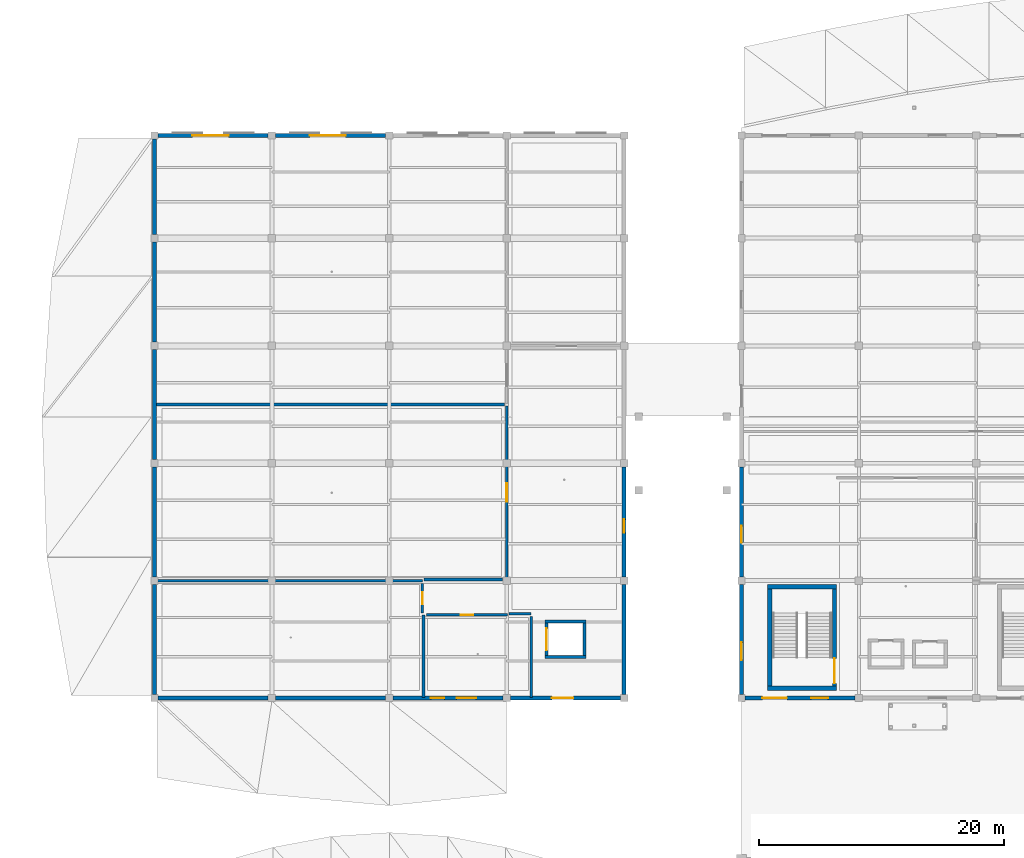
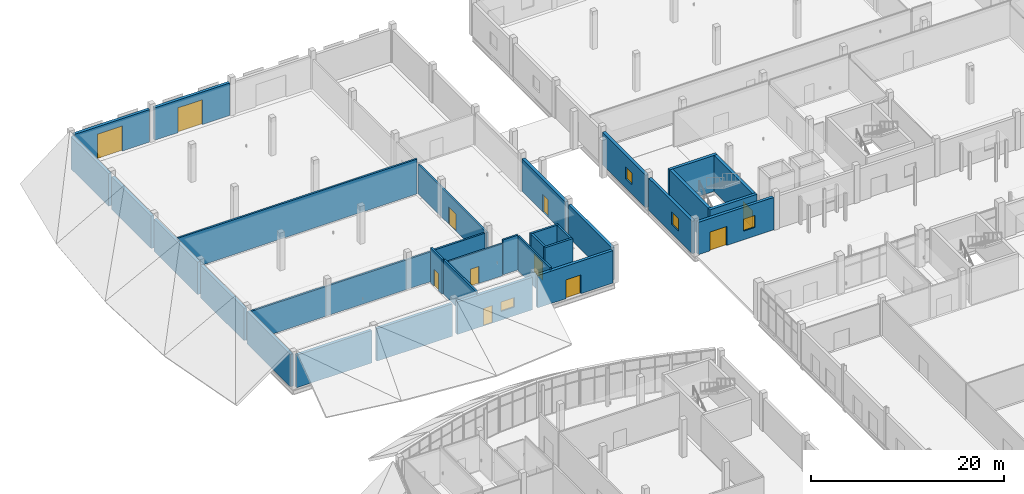
# One storey, part 81 of 116: 33 walls, 11 doors, 4 windows, 15 openings.
"""IFC4 building model written with IfcOpenShell, lengths in metres."""

from ifc_helpers import new_model, si_unit, direction, frame, frame_2d, origin, place, context, subcontext, project, spatial, rectangle, extrude, material, layer, layer_set, type_object, element, fill, save


model = new_model("IFC4")

# Units and contexts
model_context = context("Model", 3, precision=1e-05, world=origin(), true_north=direction((0.0, 1.0)))
body_context = subcontext(model_context, "Body", "Model", "MODEL_VIEW")
ifc_project = project(units=[si_unit("LENGTHUNIT", "METRE"), si_unit("AREAUNIT", "SQUARE_METRE"), si_unit("VOLUMEUNIT", "CUBIC_METRE"), si_unit("PLANEANGLEUNIT", "RADIAN"), si_unit("MASSUNIT", "GRAM", prefix="KILO")], contexts=[model_context])

# Site, building, storey
site_placement = place(None, origin())
site = spatial("IfcSite", under=ifc_project, at=site_placement, CompositionType="ELEMENT")
building_placement = place(site_placement, origin())
building = spatial("IfcBuilding", under=site, at=building_placement, Name="Chalmorin Arch Market", CompositionType="ELEMENT")
storey_placement = place(building_placement, origin())
storey = spatial("IfcBuildingStorey", under=building, at=storey_placement, Name="L00", CompositionType="ELEMENT", Elevation=0.0)

# Walls
ifc_material_1 = material(Name="Galvanised Steel", Category="steel")
ifc_layer_1 = layer(ifc_material_1, 0.219970703125)
ifc_layer_set_1 = layer_set([ifc_layer_1], Name="Galvanised Steel")
wall_type_1 = type_object("IfcWallType", Name="ColdStoreInsulatedWall-220", PredefinedType="PARTITIONING", material=ifc_layer_set_1)
wall_1_placement = place(storey_placement, frame((0.050048828125, 96.0, 0.0), z_axis=(0.0, 0.0, 1.0), x_axis=(1.0, 0.0, 0.0)))
element("IfcWall", 1, at=wall_1_placement, inside=storey, type_object=wall_type_1, Name="CIW-220-432", PredefinedType="PARTITIONING", context=body_context, shape_type="SweptSolid", body=[
    extrude(rectangle(XDim=28.550048828125, YDim=0.219970703125, at=frame_2d((14.27490234375, 0.0))), origin(), (0.0, 0.0, 1.0), 4.39990234375),
])
wall_2_placement = place(storey_placement, frame((0.050048828125, 81.60009765625, 0.0), z_axis=(0.0, 0.0, 1.0), x_axis=(1.0, 0.0, 0.0)))
element("IfcWall", 2, at=wall_2_placement, inside=storey, type_object=wall_type_1, Name="CIW-220-435", PredefinedType="PARTITIONING", context=body_context, shape_type="SweptSolid", body=[
    extrude(rectangle(XDim=21.849853515625, YDim=0.219970703125, at=frame_2d((10.9248046875, 0.0))), origin(), (0.0, 0.0, 1.0), 3.75),
])

# Wall, opening, door
wall_3_placement = place(storey_placement, frame((28.800048828125, 81.699951171875, 0.0), z_axis=(0.0, 0.0, 1.0), x_axis=(0.0, 1.0, 0.0)))
wall_3 = element("IfcWall", 3, at=wall_3_placement, inside=storey, type_object=wall_type_1, Name="CIW-220-436", PredefinedType="PARTITIONING", context=body_context, shape_type="SweptSolid", body=[
    extrude(rectangle(XDim=14.199951171875, YDim=0.219970703125, at=frame_2d((7.10009765625, 0.0))), origin(), (0.0, 0.0, 1.0), 3.68994140625),
])
opening_1_placement = place(wall_3_placement, frame((6.35009765625, 0.0, 0.0)))
opening_1 = element("IfcOpeningElement", 4, at=opening_1_placement, cuts=wall_3, Name="Opening ID-125", PredefinedType="OPENING", context=body_context, shape_type="SweptSolid", body=[
    extrude(rectangle(XDim=1.5, YDim=2.199951171875, at=frame_2d((0.75, 1.10009765625))), frame((0.0, 0.119873046875, 0.0), z_axis=(0.0, -1.0, 0.0), x_axis=(1.0, 0.0, 0.0)), (0.0, 0.0, 1.0), 0.239990234375),
])
ifc_material_2 = material(Name="Stainless Steel 316", Category="steel")
door_type_1 = type_object("IfcDoorType", Name="ColdStoreSlidingDoor-1500x2200", OperationType="SLIDING_TO_RIGHT", PredefinedType="DOOR", material=ifc_material_2)
door_1_placement = place(opening_1_placement, origin())
door_1 = element("IfcDoor", 5, at=door_1_placement, inside=storey, type_object=door_type_1, Name="ID-125", OperationType="SLIDING_TO_RIGHT", OverallHeight=2.199951171875, OverallWidth=1.5, PredefinedType="DOOR", context=body_context, shape_type="SweptSolid", body=[
    extrude(rectangle(XDim=1.5, YDim=2.199951171875, at=frame_2d((0.75, 1.10009765625))), frame((0.0, 0.02490234375, 0.0), z_axis=(0.0, -1.0, 0.0), x_axis=(1.0, 0.0, 0.0)), (0.0, 0.0, 1.0), 0.050048828125),
])
fill(opening_1, door_1)

# Walls
wall_4_placement = place(storey_placement, frame((22.0, 72.050048828125, 0.0), z_axis=(0.0, 0.0, 1.0), x_axis=(0.0, 1.0, 0.0)))
element("IfcWall", 6, at=wall_4_placement, inside=storey, type_object=wall_type_1, Name="CIW-220-437", PredefinedType="PARTITIONING", context=body_context, shape_type="SweptSolid", body=[
    extrude(rectangle(XDim=6.75, YDim=0.219970703125, at=frame_2d((3.375, 0.0))), origin(), (0.0, 0.0, 1.0), 4.39990234375),
])
wall_5_placement = place(storey_placement, frame((22.0400390625, 81.699951171875, 0.0), z_axis=(0.0, 0.0, 1.0), x_axis=(1.0, 0.0, 0.0)))
element("IfcWall", 7, at=wall_5_placement, inside=storey, type_object=wall_type_1, Name="CIW-220-466", PredefinedType="PARTITIONING", context=body_context, shape_type="SweptSolid", body=[
    extrude(rectangle(XDim=6.419921875, YDim=0.219970703125, at=frame_2d((3.2099609375, 0.0))), origin(), (0.0, 0.0, 1.0), 3.75),
])

# Wall, opening, door
wall_6_placement = place(storey_placement, frame((21.89990234375, 78.93994140625, 0.0), z_axis=(0.0, 0.0, 1.0), x_axis=(0.0, 1.0, 0.0)))
wall_6 = element("IfcWall", 8, at=wall_6_placement, inside=storey, type_object=wall_type_1, Name="CIW-220-467", PredefinedType="PARTITIONING", context=body_context, shape_type="SweptSolid", body=[
    extrude(rectangle(XDim=2.420166015625, YDim=0.219970703125, at=frame_2d((1.2099609375, 0.0))), origin(), (0.0, 0.0, 1.0), 4.39990234375),
])
opening_2_placement = place(wall_6_placement, frame((0.7099609375, 0.0, 0.0)))
opening_2 = element("IfcOpeningElement", 9, at=opening_2_placement, cuts=wall_6, Name="Opening ID-143", PredefinedType="OPENING", context=body_context, shape_type="SweptSolid", body=[
    extrude(rectangle(XDim=1.0, YDim=2.14990234375, at=frame_2d((0.5, 1.074951171875))), frame((0.0, 0.119873046875, 0.0), z_axis=(0.0, -1.0, 0.0), x_axis=(1.0, 0.0, 0.0)), (0.0, 0.0, 1.0), 0.239990234375),
])
ifc_material_3 = material(Name="Oak Engineered Timber", Category="wood")
door_type_2 = type_object("IfcDoorType", Name="ClassroomAcousticDoor-1000x2150", OperationType="NOTDEFINED", PredefinedType="DOOR", material=ifc_material_3)
door_2_placement = place(opening_2_placement, origin())
door_2 = element("IfcDoor", 10, at=door_2_placement, inside=storey, type_object=door_type_2, Name="ID-143", OperationType="SINGLE_SWING_LEFT", OverallHeight=2.14990234375, OverallWidth=1.0, PredefinedType="DOOR", context=body_context, shape_type="SweptSolid", body=[
    extrude(rectangle(XDim=1.0, YDim=2.14990234375, at=frame_2d((0.5, 1.074951171875))), frame((0.0, 0.02490234375, 0.0), z_axis=(0.0, -1.0, 0.0), x_axis=(1.0, 0.0, 0.0)), (0.0, 0.0, 1.0), 0.050048828125),
])
fill(opening_2, door_2)

# Walls
ifc_material_4 = material(Name="Concrete C40/50", Category="concrete")
ifc_layer_2 = layer(ifc_material_4, 0.35009765625)
ifc_layer_set_2 = layer_set([ifc_layer_2], Name="Concrete C40/50")
wall_type_2 = type_object("IfcWallType", Name="CoreShearWall-350", PredefinedType="SHEAR", material=ifc_layer_set_2)
for number, where, z_axis, x_axis, name in (
    (11, (55.77490234375, 72.800048828125, 0.0), (0.0, 0.0, 1.0), (-1.0, 0.0, 0.0), "CSW-350-069"),
    (12, (50.125, 81.10009765625, 0.0), (0.0, 0.0, 1.0), (1.0, 0.0, 0.0), "CSW-350-070"),
):
    element("IfcWall", number, at=place(storey_placement, frame(where, z_axis=z_axis, x_axis=x_axis)), inside=storey, type_object=wall_type_2, Name=name, PredefinedType="SHEAR", context=body_context, shape_type="SweptSolid", body=[
        extrude(rectangle(XDim=5.64990234375, YDim=0.35009765625, at=frame_2d((2.824951171875, 0.0))), origin(), (0.0, 0.0, 1.0), 4.550048828125),
    ])
wall_7_placement = place(storey_placement, frame((50.300048828125, 72.97509765625, 0.0), z_axis=(0.0, 0.0, 1.0), x_axis=(0.0, 1.0, 0.0)))
element("IfcWall", 13, at=wall_7_placement, inside=storey, type_object=wall_type_2, Name="CSW-350-071", PredefinedType="SHEAR", context=body_context, shape_type="SweptSolid", body=[
    extrude(rectangle(XDim=7.949951171875, YDim=0.35009765625, at=frame_2d((3.97509765625, 0.0))), origin(), (0.0, 0.0, 1.0), 4.550048828125),
])

# Wall, opening, door
wall_8_placement = place(storey_placement, frame((55.60009765625, 80.925048828125, 0.0), z_axis=(0.0, 0.0, 1.0), x_axis=(0.0, -1.0, 0.0)))
wall_8 = element("IfcWall", 14, at=wall_8_placement, inside=storey, type_object=wall_type_2, Name="CSW-350-072", PredefinedType="SHEAR", context=body_context, shape_type="SweptSolid", body=[
    extrude(rectangle(XDim=7.949951171875, YDim=0.35009765625, at=frame_2d((3.97509765625, 0.0))), origin(), (0.0, 0.0, 1.0), 4.550048828125),
])
opening_3_placement = place(wall_8_placement, frame((5.679931640625, 0.0, 0.0)))
opening_3 = element("IfcOpeningElement", 15, at=opening_3_placement, cuts=wall_8, Name="Opening FD-SC5-L00", PredefinedType="OPENING", context=body_context, shape_type="SweptSolid", body=[
    extrude(rectangle(XDim=2.050048828125, YDim=2.14990234375, at=frame_2d((1.02490234375, 1.074951171875))), frame((0.0, 0.18505859375, 0.0), z_axis=(0.0, -1.0, 0.0), x_axis=(1.0, 0.0, 0.0)), (0.0, 0.0, 1.0), 0.3701171875),
])
door_type_3 = type_object("IfcDoorType", Name="DoubleFireExitDoor-2050x2150", OperationType="DOUBLE_DOOR_SINGLE_SWING", PredefinedType="DOOR", material=ifc_material_1)
door_3_placement = place(opening_3_placement, origin())
door_3 = element("IfcDoor", 16, at=door_3_placement, inside=storey, type_object=door_type_3, Name="FD-SC5-L00", OperationType="DOUBLE_DOOR_SINGLE_SWING", OverallHeight=2.14990234375, OverallWidth=2.050048828125, PredefinedType="DOOR", context=body_context, shape_type="SweptSolid", body=[
    extrude(rectangle(XDim=2.050048828125, YDim=2.14990234375, at=frame_2d((1.02490234375, 1.074951171875))), frame((0.0, 0.02490234375, 0.0), z_axis=(0.0, -1.0, 0.0), x_axis=(1.0, 0.0, 0.0)), (0.0, 0.0, 1.0), 0.050048828125),
])
fill(opening_3, door_3)

# Wall
ifc_material_5 = material(Name="Concrete C30/37", Category="concrete")
ifc_layer_3 = layer(ifc_material_5, 0.199951171875)
ifc_layer_set_3 = layer_set([ifc_layer_3], Name="Concrete C30/37")
wall_type_3 = type_object("IfcWallType", Name="FireCompartmentWall-200", PredefinedType="PARTITIONING", material=ifc_layer_set_3)
wall_9_placement = place(storey_placement, frame((29.0, 78.89990234375, 0.0), z_axis=(0.0, 0.0, 1.0), x_axis=(1.0, 0.0, 0.0)))
element("IfcWall", 17, at=wall_9_placement, inside=storey, type_object=wall_type_3, Name="FCW-200-438", PredefinedType="PARTITIONING", context=body_context, shape_type="SweptSolid", body=[
    extrude(rectangle(XDim=1.800048828125, YDim=0.199951171875, at=frame_2d((0.89990234375, 0.0))), origin(), (0.0, 0.0, 1.0), 4.39990234375),
])

# Wall, opening, door
wall_10_placement = place(storey_placement, frame((22.239990234375, 78.800048828125, 0.0), z_axis=(0.0, 0.0, 1.0), x_axis=(1.0, 0.0, 0.0)))
wall_10 = element("IfcWall", 18, at=wall_10_placement, inside=storey, type_object=wall_type_3, Name="FCW-200-468", PredefinedType="PARTITIONING", context=body_context, shape_type="SweptSolid", body=[
    extrude(rectangle(XDim=6.6201171875, YDim=0.199951171875, at=frame_2d((3.31005859375, 0.0))), origin(), (0.0, 0.0, 1.0), 4.032958984375),
])
opening_4_placement = place(wall_10_placement, frame((2.81005859375, 0.0, 0.0)))
opening_4 = element("IfcOpeningElement", 19, at=opening_4_placement, cuts=wall_10, Name="Opening ID-144", PredefinedType="OPENING", context=body_context, shape_type="SweptSolid", body=[
    extrude(rectangle(XDim=1.0, YDim=2.14990234375, at=frame_2d((0.5, 1.074951171875))), frame((0.0, 0.10986328125, 0.0), z_axis=(0.0, -1.0, 0.0), x_axis=(1.0, 0.0, 0.0)), (0.0, 0.0, 1.0), 0.219970703125),
])
door_4_placement = place(opening_4_placement, origin())
door_4 = element("IfcDoor", 20, at=door_4_placement, inside=storey, type_object=door_type_2, Name="ID-144", OperationType="SINGLE_SWING_RIGHT", OverallHeight=2.14990234375, OverallWidth=1.0, PredefinedType="DOOR", context=body_context, shape_type="SweptSolid", body=[
    extrude(rectangle(XDim=1.0, YDim=2.14990234375, at=frame_2d((0.5, 1.074951171875))), frame((0.0, 0.02490234375, 0.0), z_axis=(0.0, -1.0, 0.0), x_axis=(1.0, 0.0, 0.0)), (0.0, 0.0, 1.0), 0.050048828125),
])
fill(opening_4, door_4)

# Wall
wall_11_placement = place(storey_placement, frame((30.800048828125, 72.050048828125, 0.0), z_axis=(0.0, 0.0, 1.0), x_axis=(0.0, 1.0, 0.0)))
element("IfcWall", 21, at=wall_11_placement, inside=storey, type_object=wall_type_3, Name="FCW-200-469", PredefinedType="PARTITIONING", context=body_context, shape_type="SweptSolid", body=[
    extrude(rectangle(XDim=6.60986328125, YDim=0.199951171875, at=frame_2d((3.304931640625, 0.0))), origin(), (0.0, 0.0, 1.0), 4.39990234375),
])

# Wall, openings, door, window
ifc_material_6 = material(Name="Concrete C35/45", Category="concrete")
ifc_layer_4 = layer(ifc_material_6, 0.35009765625)
ifc_layer_set_4 = layer_set([ifc_layer_4], Name="Concrete C35/45")
wall_type_4 = type_object("IfcWallType", Name="PlinthPerimeterWall-350", PredefinedType="SOLIDWALL", material=ifc_layer_set_4)
wall_12_placement = place(storey_placement, frame((48.300048828125, 72.0, 0.0), z_axis=(0.0, 0.0, 1.0), x_axis=(1.0, 0.0, 0.0)))
wall_12 = element("IfcWall", 22, at=wall_12_placement, inside=storey, type_object=wall_type_4, Name="PPW-350-178", PredefinedType="SOLIDWALL", context=body_context, shape_type="SweptSolid", body=[
    extrude(rectangle(XDim=9.0, YDim=0.35009765625, at=frame_2d((4.5, 0.0))), origin(), (0.0, 0.0, 1.0), 4.10009765625),
])
opening_5_placement = place(wall_12_placement, frame((1.39990234375, 0.0, 0.0)))
opening_5 = element("IfcOpeningElement", 23, at=opening_5_placement, cuts=wall_12, Name="Opening ED-040", PredefinedType="OPENING", context=body_context, shape_type="SweptSolid", body=[
    extrude(rectangle(XDim=2.0, YDim=2.39990234375, at=frame_2d((1.0, 1.199951171875))), frame((0.0, 0.18505859375, 0.0), z_axis=(0.0, -1.0, 0.0), x_axis=(1.0, 0.0, 0.0)), (0.0, 0.0, 1.0), 0.3701171875),
])
opening_6_placement = place(wall_12_placement, frame((5.39990234375, 0.0, 1.10009765625)))
opening_6 = element("IfcOpeningElement", 24, at=opening_6_placement, cuts=wall_12, Name="Opening WN-099", PredefinedType="OPENING", context=body_context, shape_type="SweptSolid", body=[
    extrude(rectangle(XDim=1.3798828125, YDim=1.510009765625, at=frame_2d((0.68994140625, 0.7548828125))), frame((0.0, 0.18505859375, 0.0), z_axis=(0.0, -1.0, 0.0), x_axis=(1.0, 0.0, 0.0)), (0.0, 0.0, 1.0), 0.3701171875),
])
ifc_material_7 = material(Name="Aluminium 6063-T6", Category="aluminium")
door_type_4 = type_object("IfcDoorType", Name="DoubleStorefrontDoor-2000x2400", OperationType="DOUBLE_DOOR_SINGLE_SWING", PredefinedType="DOOR", material=ifc_material_7)
door_5_placement = place(opening_5_placement, origin())
door_5 = element("IfcDoor", 25, at=door_5_placement, inside=storey, type_object=door_type_4, Name="ED-040", OperationType="DOUBLE_DOOR_SINGLE_SWING", OverallHeight=2.39990234375, OverallWidth=2.0, PredefinedType="DOOR", context=body_context, shape_type="SweptSolid", body=[
    extrude(rectangle(XDim=2.0, YDim=2.39990234375, at=frame_2d((1.0, 1.199951171875))), frame((0.0, 0.02490234375, 0.0), z_axis=(0.0, -1.0, 0.0), x_axis=(1.0, 0.0, 0.0)), (0.0, 0.0, 1.0), 0.050048828125),
])
fill(opening_5, door_5)
ifc_material_8 = material(Name="Low-E Tempered Glass", Category="glass")
window_type_1 = type_object("IfcWindowType", Name="WorkshopPunchedWindow-1500x1600-1380x1510", PartitioningType="SINGLE_PANEL", PredefinedType="WINDOW", material=ifc_material_8)
window_1_placement = place(opening_6_placement, origin())
window_1 = element("IfcWindow", 26, at=window_1_placement, inside=storey, type_object=window_type_1, Name="WN-099", OverallHeight=1.510009765625, OverallWidth=1.3798828125, PartitioningType="SINGLE_PANEL", PredefinedType="WINDOW", context=body_context, shape_type="SweptSolid", body=[
    extrude(rectangle(XDim=1.3798828125, YDim=1.510009765625, at=frame_2d((0.68994140625, 0.7548828125))), frame((0.0, 0.030029296875, 0.0), z_axis=(0.0, -1.0, 0.0), x_axis=(1.0, 0.0, 0.0)), (0.0, 0.0, 1.0), 0.06005859375),
])
fill(opening_6, window_1)

# Wall, opening, window
wall_13_placement = place(storey_placement, frame((48.0, 72.300048828125, 0.0), z_axis=(0.0, 0.0, 1.0), x_axis=(0.0, 1.0, 0.0)))
wall_13 = element("IfcWall", 27, at=wall_13_placement, inside=storey, type_object=wall_type_4, Name="PPW-350-192", PredefinedType="SOLIDWALL", context=body_context, shape_type="SweptSolid", body=[
    extrude(rectangle(XDim=9.0, YDim=0.35009765625, at=frame_2d((4.5, 0.0))), origin(), (0.0, 0.0, 1.0), 4.10009765625),
])
opening_7_placement = place(wall_13_placement, frame((2.800048828125, 0.0, 1.14990234375)))
opening_7 = element("IfcOpeningElement", 28, at=opening_7_placement, cuts=wall_13, Name="Opening WN-113", PredefinedType="OPENING", context=body_context, shape_type="SweptSolid", body=[
    extrude(rectangle(XDim=1.4599609375, YDim=1.570068359375, at=frame_2d((0.72998046875, 0.78515625))), frame((0.0, 0.18505859375, 0.0), z_axis=(0.0, -1.0, 0.0), x_axis=(1.0, 0.0, 0.0)), (0.0, 0.0, 1.0), 0.3701171875),
])
window_type_2 = type_object("IfcWindowType", Name="WorkshopPunchedWindow-1500x1600-1460x1570", PartitioningType="SINGLE_PANEL", PredefinedType="WINDOW", material=ifc_material_8)
window_2_placement = place(opening_7_placement, origin())
window_2 = element("IfcWindow", 29, at=window_2_placement, inside=storey, type_object=window_type_2, Name="WN-113", OverallHeight=1.570068359375, OverallWidth=1.4599609375, PartitioningType="SINGLE_PANEL", PredefinedType="WINDOW", context=body_context, shape_type="SweptSolid", body=[
    extrude(rectangle(XDim=1.4599609375, YDim=1.570068359375, at=frame_2d((0.72998046875, 0.78515625))), frame((0.0, 0.030029296875, 0.0), z_axis=(0.0, -1.0, 0.0), x_axis=(1.0, 0.0, 0.0)), (0.0, 0.0, 1.0), 0.06005859375),
])
fill(opening_7, window_2)

wall_14_placement = place(storey_placement, frame((48.0, 81.89990234375, 0.0), z_axis=(0.0, 0.0, 1.0), x_axis=(0.0, 1.0, 0.0)))
wall_14 = element("IfcWall", 30, at=wall_14_placement, inside=storey, type_object=wall_type_4, Name="PPW-350-195", PredefinedType="SOLIDWALL", context=body_context, shape_type="SweptSolid", body=[
    extrude(rectangle(XDim=9.0, YDim=0.35009765625, at=frame_2d((4.5, 0.0))), origin(), (0.0, 0.0, 1.0), 4.10009765625),
])
opening_8_placement = place(wall_14_placement, frame((2.800048828125, 0.0, 1.14990234375)))
opening_8 = element("IfcOpeningElement", 31, at=opening_8_placement, cuts=wall_14, Name="Opening WN-115", PredefinedType="OPENING", context=body_context, shape_type="SweptSolid", body=[
    extrude(rectangle(XDim=1.3798828125, YDim=1.510009765625, at=frame_2d((0.68994140625, 0.7548828125))), frame((0.0, 0.18505859375, 0.0), z_axis=(0.0, -1.0, 0.0), x_axis=(1.0, 0.0, 0.0)), (0.0, 0.0, 1.0), 0.3701171875),
])
window_3_placement = place(opening_8_placement, origin())
window_3 = element("IfcWindow", 32, at=window_3_placement, inside=storey, type_object=window_type_1, Name="WN-115", OverallHeight=1.510009765625, OverallWidth=1.3798828125, PartitioningType="SINGLE_PANEL", PredefinedType="WINDOW", context=body_context, shape_type="SweptSolid", body=[
    extrude(rectangle(XDim=1.3798828125, YDim=1.510009765625, at=frame_2d((0.68994140625, 0.7548828125))), frame((0.0, 0.030029296875, 0.0), z_axis=(0.0, -1.0, 0.0), x_axis=(1.0, 0.0, 0.0)), (0.0, 0.0, 1.0), 0.06005859375),
])
fill(opening_8, window_3)

# Wall
wall_15_placement = place(storey_placement, frame((0.300048828125, 72.0, 0.0), z_axis=(0.0, 0.0, 1.0), x_axis=(1.0, 0.0, 0.0)))
element("IfcWall", 33, at=wall_15_placement, inside=storey, type_object=wall_type_4, Name="PPW-350-208", PredefinedType="SOLIDWALL", context=body_context, shape_type="SweptSolid", body=[
    extrude(rectangle(XDim=9.0, YDim=0.35009765625, at=frame_2d((4.5, 0.0))), origin(), (0.0, 0.0, 1.0), 4.10009765625),
])

# Wall, opening, door
wall_16_placement = place(storey_placement, frame((0.300048828125, 118.0, 0.0), z_axis=(0.0, 0.0, 1.0), x_axis=(1.0, 0.0, 0.0)))
wall_16 = element("IfcWall", 34, at=wall_16_placement, inside=storey, type_object=wall_type_4, Name="PPW-350-209", PredefinedType="SOLIDWALL", context=body_context, shape_type="SweptSolid", body=[
    extrude(rectangle(XDim=9.0, YDim=0.35009765625, at=frame_2d((4.5, 0.0))), origin(), (0.0, 0.0, 1.0), 4.10009765625),
])
opening_9_placement = place(wall_16_placement, frame((2.800048828125, 0.0, 0.0)))
opening_9 = element("IfcOpeningElement", 35, at=opening_9_placement, cuts=wall_16, Name="Opening ED-053", PredefinedType="OPENING", context=body_context, shape_type="SweptSolid", body=[
    extrude(rectangle(XDim=2.9599609375, YDim=3.169921875, at=frame_2d((1.47998046875, 1.5849609375))), frame((0.0, 0.18505859375, 0.0), z_axis=(0.0, -1.0, 0.0), x_axis=(1.0, 0.0, 0.0)), (0.0, 0.0, 1.0), 0.3701171875),
])
door_type_5 = type_object("IfcDoorType", Name="InsulatedLoadingDockDoor-3000x3200-2960x3170", OperationType="ROLLINGUP", PredefinedType="DOOR", material=ifc_material_1)
door_6_placement = place(opening_9_placement, origin())
door_6 = element("IfcDoor", 36, at=door_6_placement, inside=storey, type_object=door_type_5, Name="ED-053", OperationType="ROLLINGUP", OverallHeight=3.169921875, OverallWidth=2.9599609375, PredefinedType="DOOR", context=body_context, shape_type="SweptSolid", body=[
    extrude(rectangle(XDim=2.9599609375, YDim=3.169921875, at=frame_2d((1.47998046875, 1.5849609375))), frame((0.0, 0.02490234375, 0.0), z_axis=(0.0, -1.0, 0.0), x_axis=(1.0, 0.0, 0.0)), (0.0, 0.0, 1.0), 0.050048828125),
])
fill(opening_9, door_6)

# Wall
wall_17_placement = place(storey_placement, frame((9.89990234375, 72.0, 0.0), z_axis=(0.0, 0.0, 1.0), x_axis=(1.0, 0.0, 0.0)))
element("IfcWall", 37, at=wall_17_placement, inside=storey, type_object=wall_type_4, Name="PPW-350-210", PredefinedType="SOLIDWALL", context=body_context, shape_type="SweptSolid", body=[
    extrude(rectangle(XDim=9.0, YDim=0.35009765625, at=frame_2d((4.5, 0.0))), origin(), (0.0, 0.0, 1.0), 4.10009765625),
])

# Wall, opening, door
wall_18_placement = place(storey_placement, frame((9.89990234375, 118.0, 0.0), z_axis=(0.0, 0.0, 1.0), x_axis=(1.0, 0.0, 0.0)))
wall_18 = element("IfcWall", 38, at=wall_18_placement, inside=storey, type_object=wall_type_4, Name="PPW-350-211", PredefinedType="SOLIDWALL", context=body_context, shape_type="SweptSolid", body=[
    extrude(rectangle(XDim=9.0, YDim=0.35009765625, at=frame_2d((4.5, 0.0))), origin(), (0.0, 0.0, 1.0), 4.10009765625),
])
opening_10_placement = place(wall_18_placement, frame((2.800048828125, 0.0, 0.0)))
opening_10 = element("IfcOpeningElement", 39, at=opening_10_placement, cuts=wall_18, Name="Opening ED-054", PredefinedType="OPENING", context=body_context, shape_type="SweptSolid", body=[
    extrude(rectangle(XDim=2.919921875, YDim=3.139892578125, at=frame_2d((1.4599609375, 1.56982421875))), frame((0.0, 0.18505859375, 0.0), z_axis=(0.0, -1.0, 0.0), x_axis=(1.0, 0.0, 0.0)), (0.0, 0.0, 1.0), 0.3701171875),
])
door_type_6 = type_object("IfcDoorType", Name="InsulatedLoadingDockDoor-3000x3200-2920x3140", OperationType="ROLLINGUP", PredefinedType="DOOR", material=ifc_material_1)
door_7_placement = place(opening_10_placement, origin())
door_7 = element("IfcDoor", 40, at=door_7_placement, inside=storey, type_object=door_type_6, Name="ED-054", OperationType="ROLLINGUP", OverallHeight=3.139892578125, OverallWidth=2.919921875, PredefinedType="DOOR", context=body_context, shape_type="SweptSolid", body=[
    extrude(rectangle(XDim=2.919921875, YDim=3.139892578125, at=frame_2d((1.4599609375, 1.56982421875))), frame((0.0, 0.02490234375, 0.0), z_axis=(0.0, -1.0, 0.0), x_axis=(1.0, 0.0, 0.0)), (0.0, 0.0, 1.0), 0.050048828125),
])
fill(opening_10, door_7)

# Wall, openings, door, window
wall_19_placement = place(storey_placement, frame((19.5, 72.0, 0.0), z_axis=(0.0, 0.0, 1.0), x_axis=(1.0, 0.0, 0.0)))
wall_19 = element("IfcWall", 41, at=wall_19_placement, inside=storey, type_object=wall_type_4, Name="PPW-350-212", PredefinedType="SOLIDWALL", context=body_context, shape_type="SweptSolid", body=[
    extrude(rectangle(XDim=9.0, YDim=0.35009765625, at=frame_2d((4.5, 0.0))), origin(), (0.0, 0.0, 1.0), 4.10009765625),
])
opening_11_placement = place(wall_19_placement, frame((3.10009765625, 0.0, 0.0)))
opening_11 = element("IfcOpeningElement", 42, at=opening_11_placement, cuts=wall_19, Name="Opening ED-055", PredefinedType="OPENING", context=body_context, shape_type="SweptSolid", body=[
    extrude(rectangle(XDim=1.10009765625, YDim=2.199951171875, at=frame_2d((0.550048828125, 1.10009765625))), frame((0.0, 0.18505859375, 0.0), z_axis=(0.0, -1.0, 0.0), x_axis=(1.0, 0.0, 0.0)), (0.0, 0.0, 1.0), 0.3701171875),
])
opening_12_placement = place(wall_19_placement, frame((5.199951171875, 0.0, 1.10009765625)))
opening_12 = element("IfcOpeningElement", 43, at=opening_12_placement, cuts=wall_19, Name="Opening WN-124", PredefinedType="OPENING", context=body_context, shape_type="SweptSolid", body=[
    extrude(rectangle(XDim=1.60009765625, YDim=1.199951171875, at=frame_2d((0.800048828125, 0.60009765625))), frame((0.0, 0.18505859375, 0.0), z_axis=(0.0, -1.0, 0.0), x_axis=(1.0, 0.0, 0.0)), (0.0, 0.0, 1.0), 0.3701171875),
])
door_type_7 = type_object("IfcDoorType", Name="ExteriorExitSteelDoor-1100x2200", OperationType="SINGLE_SWING_RIGHT", PredefinedType="DOOR", material=ifc_material_1)
door_8_placement = place(opening_11_placement, origin())
door_8 = element("IfcDoor", 44, at=door_8_placement, inside=storey, type_object=door_type_7, Name="ED-055", OperationType="SINGLE_SWING_RIGHT", OverallHeight=2.199951171875, OverallWidth=1.10009765625, PredefinedType="DOOR", context=body_context, shape_type="SweptSolid", body=[
    extrude(rectangle(XDim=1.10009765625, YDim=2.199951171875, at=frame_2d((0.550048828125, 1.10009765625))), frame((0.0, 0.02490234375, 0.0), z_axis=(0.0, -1.0, 0.0), x_axis=(1.0, 0.0, 0.0)), (0.0, 0.0, 1.0), 0.050048828125),
])
fill(opening_11, door_8)
window_type_3 = type_object("IfcWindowType", Name="FireCommandViewWindow-1600x1200", PartitioningType="SINGLE_PANEL", PredefinedType="WINDOW", material=ifc_material_8)
window_4_placement = place(opening_12_placement, origin())
window_4 = element("IfcWindow", 45, at=window_4_placement, inside=storey, type_object=window_type_3, Name="WN-124", OverallHeight=1.199951171875, OverallWidth=1.60009765625, PartitioningType="SINGLE_PANEL", PredefinedType="WINDOW", context=body_context, shape_type="SweptSolid", body=[
    extrude(rectangle(XDim=1.60009765625, YDim=1.199951171875, at=frame_2d((0.800048828125, 0.60009765625))), frame((0.0, 0.030029296875, 0.0), z_axis=(0.0, -1.0, 0.0), x_axis=(1.0, 0.0, 0.0)), (0.0, 0.0, 1.0), 0.06005859375),
])
fill(opening_12, window_4)

# Wall, opening, door
wall_20_placement = place(storey_placement, frame((29.10009765625, 72.0, 0.0), z_axis=(0.0, 0.0, 1.0), x_axis=(1.0, 0.0, 0.0)))
wall_20 = element("IfcWall", 46, at=wall_20_placement, inside=storey, type_object=wall_type_4, Name="PPW-350-214", PredefinedType="SOLIDWALL", context=body_context, shape_type="SweptSolid", body=[
    extrude(rectangle(XDim=9.0, YDim=0.35009765625, at=frame_2d((4.5, 0.0))), origin(), (0.0, 0.0, 1.0), 4.10009765625),
])
opening_13_placement = place(wall_20_placement, frame((3.39990234375, 0.0, 0.0)))
opening_13 = element("IfcOpeningElement", 47, at=opening_13_placement, cuts=wall_20, Name="Opening ED-057", PredefinedType="OPENING", context=body_context, shape_type="SweptSolid", body=[
    extrude(rectangle(XDim=1.760009765625, YDim=2.3701171875, at=frame_2d((0.8798828125, 1.18505859375))), frame((0.0, 0.18505859375, 0.0), z_axis=(0.0, -1.0, 0.0), x_axis=(1.0, 0.0, 0.0)), (0.0, 0.0, 1.0), 0.3701171875),
])
door_type_8 = type_object("IfcDoorType", Name="DoubleStorefrontDoor-1800x2400-1760x2370", OperationType="DOUBLE_DOOR_SINGLE_SWING", PredefinedType="DOOR", material=ifc_material_7)
door_9_placement = place(opening_13_placement, origin())
door_9 = element("IfcDoor", 48, at=door_9_placement, inside=storey, type_object=door_type_8, Name="ED-057", OperationType="DOUBLE_DOOR_SINGLE_SWING", OverallHeight=2.3701171875, OverallWidth=1.760009765625, PredefinedType="DOOR", context=body_context, shape_type="SweptSolid", body=[
    extrude(rectangle(XDim=1.760009765625, YDim=2.3701171875, at=frame_2d((0.8798828125, 1.18505859375))), frame((0.0, 0.02490234375, 0.0), z_axis=(0.0, -1.0, 0.0), x_axis=(1.0, 0.0, 0.0)), (0.0, 0.0, 1.0), 0.050048828125),
])
fill(opening_13, door_9)

# Walls
for number, where, z_axis, x_axis, name in (
    (49, (0.0, 72.300048828125, 0.0), (0.0, 0.0, 1.0), (0.0, 1.0, 0.0), "PPW-350-216"),
    (50, (38.39990234375, 72.300048828125, 0.0), (0.0, 0.0, 1.0), (0.0, 1.0, 0.0), "PPW-350-217"),
    (51, (0.0, 81.89990234375, 0.0), (0.0, 0.0, 1.0), (0.0, 1.0, 0.0), "PPW-350-218"),
):
    element("IfcWall", number, at=place(storey_placement, frame(where, z_axis=z_axis, x_axis=x_axis)), inside=storey, type_object=wall_type_4, Name=name, PredefinedType="SOLIDWALL", context=body_context, shape_type="SweptSolid", body=[
        extrude(rectangle(XDim=9.0, YDim=0.35009765625, at=frame_2d((4.5, 0.0))), origin(), (0.0, 0.0, 1.0), 4.10009765625),
    ])

# Wall, opening, door
wall_21_placement = place(storey_placement, frame((38.39990234375, 81.89990234375, 0.0), z_axis=(0.0, 0.0, 1.0), x_axis=(0.0, 1.0, 0.0)))
wall_21 = element("IfcWall", 52, at=wall_21_placement, inside=storey, type_object=wall_type_4, Name="PPW-350-219", PredefinedType="SOLIDWALL", context=body_context, shape_type="SweptSolid", body=[
    extrude(rectangle(XDim=9.0, YDim=0.35009765625, at=frame_2d((4.5, 0.0))), origin(), (0.0, 0.0, 1.0), 4.10009765625),
])
opening_14_placement = place(wall_21_placement, frame((3.60009765625, 0.0, 0.0)))
opening_14 = element("IfcOpeningElement", 53, at=opening_14_placement, cuts=wall_21, Name="Opening ED-058", PredefinedType="OPENING", context=body_context, shape_type="SweptSolid", body=[
    extrude(rectangle(XDim=1.10009765625, YDim=2.199951171875, at=frame_2d((0.550048828125, 1.10009765625))), frame((0.0, 0.18505859375, 0.0), z_axis=(0.0, -1.0, 0.0), x_axis=(1.0, 0.0, 0.0)), (0.0, 0.0, 1.0), 0.3701171875),
])
door_10_placement = place(opening_14_placement, origin())
door_10 = element("IfcDoor", 54, at=door_10_placement, inside=storey, type_object=door_type_7, Name="ED-058", OperationType="SINGLE_SWING_RIGHT", OverallHeight=2.199951171875, OverallWidth=1.10009765625, PredefinedType="DOOR", context=body_context, shape_type="SweptSolid", body=[
    extrude(rectangle(XDim=1.10009765625, YDim=2.199951171875, at=frame_2d((0.550048828125, 1.10009765625))), frame((0.0, 0.02490234375, 0.0), z_axis=(0.0, -1.0, 0.0), x_axis=(1.0, 0.0, 0.0)), (0.0, 0.0, 1.0), 0.050048828125),
])
fill(opening_14, door_10)

# Walls
wall_22_placement = place(storey_placement, frame((0.0, 91.5, 0.0), z_axis=(0.0, 0.0, 1.0), x_axis=(0.0, 1.0, 0.0)))
element("IfcWall", 55, at=wall_22_placement, inside=storey, type_object=wall_type_4, Name="PPW-350-220", PredefinedType="SOLIDWALL", context=body_context, shape_type="SweptSolid", body=[
    extrude(rectangle(XDim=9.0, YDim=0.35009765625, at=frame_2d((4.5, 0.0))), origin(), (0.0, 0.0, 1.0), 4.10009765625),
])
wall_23_placement = place(storey_placement, frame((0.0, 101.10009765625, 0.0), z_axis=(0.0, 0.0, 1.0), x_axis=(0.0, 1.0, 0.0)))
element("IfcWall", 56, at=wall_23_placement, inside=storey, type_object=wall_type_4, Name="PPW-350-222", PredefinedType="SOLIDWALL", context=body_context, shape_type="SweptSolid", body=[
    extrude(rectangle(XDim=8.199951171875, YDim=0.35009765625, at=frame_2d((4.10009765625, 0.0))), origin(), (0.0, 0.0, 1.0), 4.10009765625),
])
wall_24_placement = place(storey_placement, frame((0.0, 109.89990234375, 0.0), z_axis=(0.0, 0.0, 1.0), x_axis=(0.0, 1.0, 0.0)))
element("IfcWall", 57, at=wall_24_placement, inside=storey, type_object=wall_type_4, Name="PPW-350-224", PredefinedType="SOLIDWALL", context=body_context, shape_type="SweptSolid", body=[
    extrude(rectangle(XDim=7.800048828125, YDim=0.35009765625, at=frame_2d((3.89990234375, 0.0))), origin(), (0.0, 0.0, 1.0), 4.10009765625),
])
ifc_layer_5 = layer(ifc_material_6, 0.25)
ifc_layer_set_5 = layer_set([ifc_layer_5], Name="Concrete C35/45")
wall_type_5 = type_object("IfcWallType", Name="ShaftEnclosureWall-250", PredefinedType="SOLIDWALL", material=ifc_layer_set_5)
for number, where, z_axis, x_axis, name in (
    (58, (35.27490234375, 75.35009765625, 0.0), (0.0, 0.0, 1.0), (-1.0, 0.0, 0.0), "SEW-250-286"),
    (59, (31.925048828125, 78.25, 0.0), (0.0, 0.0, 1.0), (1.0, 0.0, 0.0), "SEW-250-287"),
):
    element("IfcWall", number, at=place(storey_placement, frame(where, z_axis=z_axis, x_axis=x_axis)), inside=storey, type_object=wall_type_5, Name=name, PredefinedType="SOLIDWALL", context=body_context, shape_type="SweptSolid", body=[
        extrude(rectangle(XDim=3.349853515625, YDim=0.25, at=frame_2d((1.6748046875, 0.0))), origin(), (0.0, 0.0, 1.0), 4.550048828125),
    ])

# Wall, opening, door
wall_25_placement = place(storey_placement, frame((32.050048828125, 75.47509765625, 0.0), z_axis=(0.0, 0.0, 1.0), x_axis=(0.0, 1.0, 0.0)))
wall_25 = element("IfcWall", 60, at=wall_25_placement, inside=storey, type_object=wall_type_5, Name="SEW-250-288", PredefinedType="SOLIDWALL", context=body_context, shape_type="SweptSolid", body=[
    extrude(rectangle(XDim=2.64990234375, YDim=0.25, at=frame_2d((1.324951171875, 0.0))), origin(), (0.0, 0.0, 1.0), 4.550048828125),
])
opening_15_placement = place(wall_25_placement, frame((0.425048828125, 0.0, 0.0)))
opening_15 = element("IfcOpeningElement", 61, at=opening_15_placement, cuts=wall_25, Name="Opening LD-LF-FR1-L00", PredefinedType="OPENING", context=body_context, shape_type="SweptSolid", body=[
    extrude(rectangle(XDim=1.800048828125, YDim=2.300048828125, at=frame_2d((0.89990234375, 1.14990234375))), frame((0.0, 0.135009765625, 0.0), z_axis=(0.0, -1.0, 0.0), x_axis=(1.0, 0.0, 0.0)), (0.0, 0.0, 1.0), 0.27001953125),
])
door_type_9 = type_object("IfcDoorType", Name="FreightLiftLandingDoor-1800x2300", OperationType="DOUBLE_DOOR_SLIDING", PredefinedType="DOOR", material=ifc_material_2)
door_11_placement = place(opening_15_placement, origin())
door_11 = element("IfcDoor", 62, at=door_11_placement, inside=storey, type_object=door_type_9, Name="LD-LF-FR1-L00", OperationType="DOUBLE_DOOR_SLIDING", OverallHeight=2.300048828125, OverallWidth=1.800048828125, PredefinedType="DOOR", context=body_context, shape_type="SweptSolid", body=[
    extrude(rectangle(XDim=1.800048828125, YDim=2.300048828125, at=frame_2d((0.89990234375, 1.14990234375))), frame((0.0, 0.02490234375, 0.0), z_axis=(0.0, -1.0, 0.0), x_axis=(1.0, 0.0, 0.0)), (0.0, 0.0, 1.0), 0.050048828125),
])
fill(opening_15, door_11)

# Wall
wall_26_placement = place(storey_placement, frame((35.14990234375, 78.125, 0.0), z_axis=(0.0, 0.0, 1.0), x_axis=(0.0, -1.0, 0.0)))
element("IfcWall", 63, at=wall_26_placement, inside=storey, type_object=wall_type_5, Name="SEW-250-289", PredefinedType="SOLIDWALL", context=body_context, shape_type="SweptSolid", body=[
    extrude(rectangle(XDim=2.64990234375, YDim=0.25, at=frame_2d((1.324951171875, 0.0))), origin(), (0.0, 0.0, 1.0), 4.550048828125),
])

save(model, "model.ifc")
